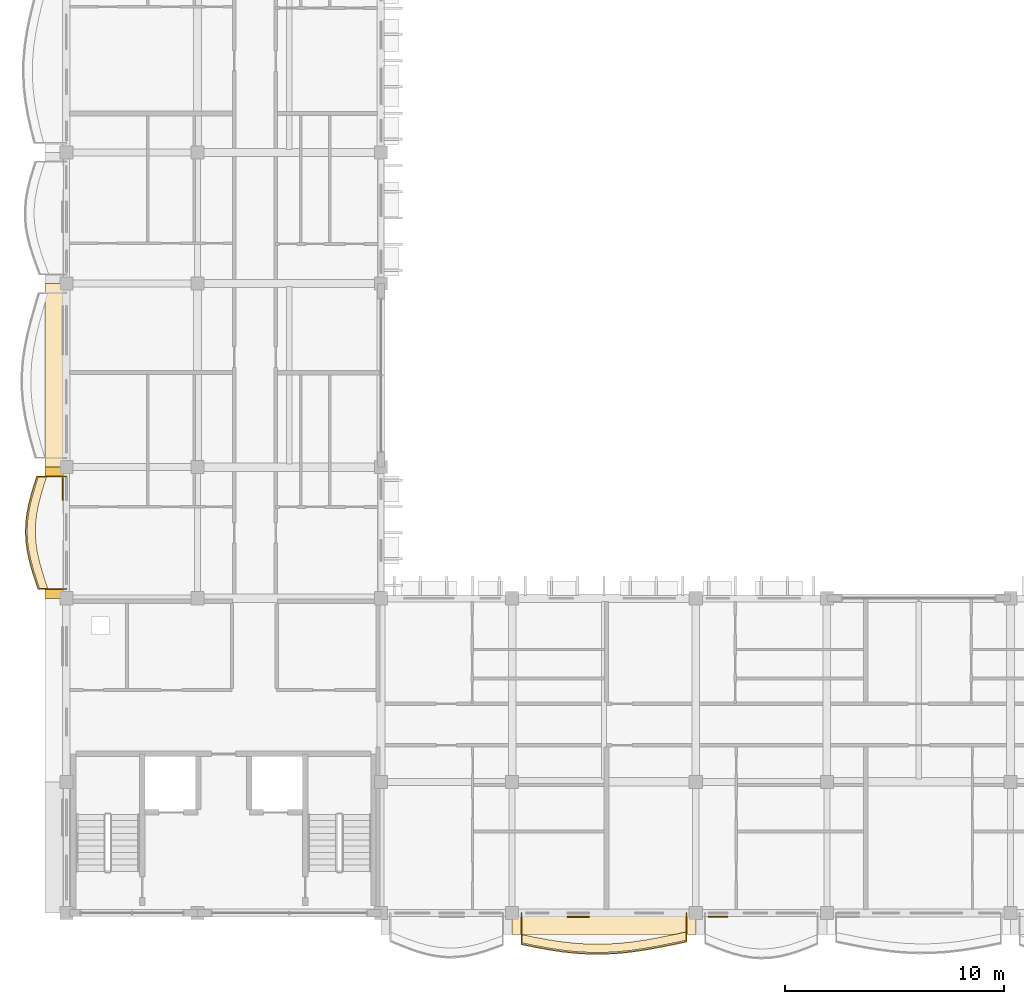
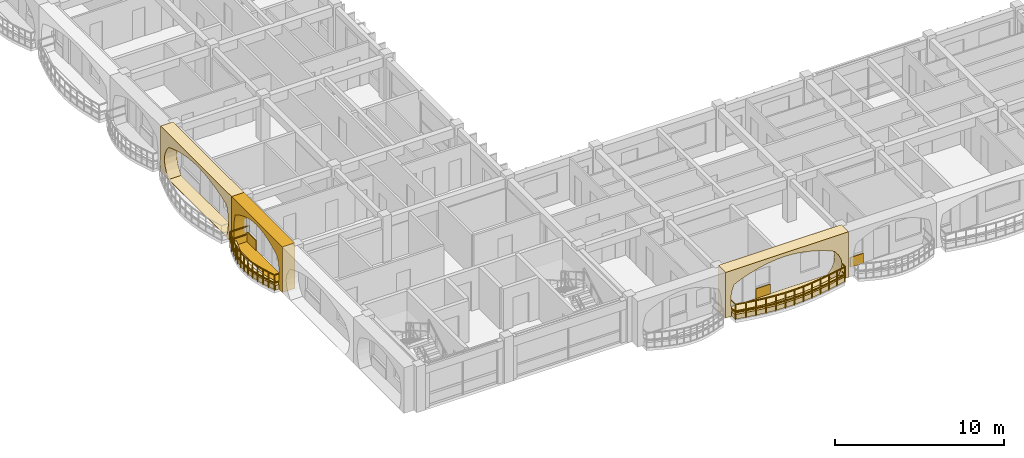
# One storey, part 50 of 76: 8 coverings, 2 railings.
"""IFC4 building model written with IfcOpenShell, lengths in metres."""

from ifc_helpers import new_model, si_unit, direction, frame, origin, origin_2d, place, context, subcontext, project, spatial, polyline, rectangle, outline, extrude, material, layer, layer_set, type_object, element, save


model = new_model("IFC4")

# Units and contexts
model_context = context("Model", 3, precision=1e-05, world=origin(), true_north=direction((0.0, 1.0)))
body_context = subcontext(model_context, "Body", "Model", "MODEL_VIEW")
ifc_project = project(units=[si_unit("LENGTHUNIT", "METRE"), si_unit("AREAUNIT", "SQUARE_METRE"), si_unit("VOLUMEUNIT", "CUBIC_METRE"), si_unit("PLANEANGLEUNIT", "RADIAN"), si_unit("MASSUNIT", "GRAM", prefix="KILO"), si_unit("THERMODYNAMICTEMPERATUREUNIT", "KELVIN")], contexts=[model_context])

# Site, building, storey
site_placement = place(None, origin())
site = spatial("IfcSite", under=ifc_project, at=site_placement, CompositionType="ELEMENT")
building_placement = place(site_placement, origin())
building = spatial("IfcBuilding", under=site, at=building_placement, Name="Thalorik Housing Commons", CompositionType="ELEMENT")
storey_placement = place(building_placement, frame((0.0, 0.0, 18.0)))
storey = spatial("IfcBuildingStorey", under=building, at=storey_placement, Name="L05", CompositionType="ELEMENT", Elevation=18.0)

# Coverings
ifc_material_1 = material(Name="Cobalt blue glazed ceramic facade tile panel", Category="masonry")
ifc_layer_1 = layer(ifc_material_1, 0.06005859375, Name="Cobalt blue glazed ceramic facade tile panel", Category="masonry")
ifc_layer_set_1 = layer_set([ifc_layer_1], Name="Cobalt blue glazed ceramic facade tile panel")
covering_type_1 = type_object("IfcCoveringType", Name="ARC-CLD-BLU-60", PredefinedType="CLADDING", material=ifc_layer_set_1)
covering_1_placement = place(storey_placement, frame((38.219970703125, 8.2275390625, 0.0498046875), z_axis=(0.0, 0.0, 1.0), x_axis=(1.0, 0.0, 0.0)))
element("IfcCovering", 1, at=covering_1_placement, inside=storey, type_object=covering_type_1, Name="L05 De Stijl Recessed Window Spandrel 3975", PredefinedType="CLADDING", context=body_context, shape_type="SweptSolid", body=[
    extrude(rectangle(XDim=0.89990234375, YDim=0.06005859375, at=origin_2d()), origin(), (0.0, 0.0, 1.0), 0.699951171875),
])
ifc_material_2 = material(Name="Precast concrete C40/50", Category="concrete")
ifc_layer_2 = layer(ifc_material_2, 0.85009765625, Name="Precast concrete C40/50", Category="concrete")
ifc_layer_set_2 = layer_set([ifc_layer_2], Name="Precast concrete C40/50")
covering_type_2 = type_object("IfcCoveringType", Name="ARC-CLD-CUSH-850", PredefinedType="CLADDING", material=ifc_layer_set_2)
covering_2_placement = place(storey_placement, frame((7.83740234375, 33.0, 0.0), z_axis=(0.0, 0.0, 1.0), x_axis=(0.0, -1.0, 0.0)))
element("IfcCovering", 2, at=covering_2_placement, inside=storey, type_object=covering_type_2, Name="L05 White Precast Curved Cushion Bay Frame 3962", PredefinedType="CLADDING", context=body_context, shape_type="SweptSolid", body=[
    extrude(outline(polyline([(-4.199951171875, 0.0), (4.199951171875, 0.0), (4.199951171875, 3.300048828125), (-4.199951171875, 3.300048828125), (-4.199951171875, 0.0)]), holes=[polyline([(3.594970703125, 0.02490234375), (3.72265625, 0.410888671875), (3.79931640625, 0.796630859375), (3.824951171875, 1.1826171875), (3.79931640625, 1.568359375), (3.72265625, 1.9541015625), (3.594970703125, 2.340087890625), (3.025390625, 2.552978515625), (2.455810546875, 2.720458984375), (1.88623046875, 2.85595703125), (1.316650390625, 2.956787109375), (0.7470703125, 3.01904296875), (0.177490234375, 3.0400390625), (-0.39208984375, 3.01904296875), (-0.961669921875, 2.956787109375), (-1.53125, 2.85595703125), (-2.100830078125, 2.720458984375), (-2.67041015625, 2.552978515625), (-3.239990234375, 2.340087890625), (-3.523193359375, 1.9541015625), (-3.693359375, 1.568359375), (-3.75, 1.1826171875), (-3.693359375, 0.796630859375), (-3.523193359375, 0.410888671875), (-3.239990234375, 0.02490234375), (3.594970703125, 0.02490234375)])]), frame((0.0, 0.425048828125, 0.0), z_axis=(0.0, -1.0, 0.0), x_axis=(1.0, 0.0, 0.0)), (0.0, 0.0, 1.0), 0.85009765625),
])
covering_3_placement = place(storey_placement, frame((7.83740234375, 25.800048828125, 0.0), z_axis=(0.0, 0.0, 1.0), x_axis=(0.0, -1.0, 0.0)))
element("IfcCovering", 3, at=covering_3_placement, inside=storey, type_object=covering_type_2, Name="L05 White Precast Curved Cushion Bay Frame 3964", PredefinedType="CLADDING", context=body_context, shape_type="SweptSolid", body=[
    extrude(outline(polyline([(-3.0, 0.0), (3.0, 0.0), (3.0, 3.300048828125), (-3.0, 3.300048828125), (-3.0, 0.0)]), holes=[polyline([(2.409912109375, 0.02490234375), (2.53466796875, 0.394287109375), (2.609375, 0.76318359375), (2.63427734375, 1.132568359375), (2.609375, 1.501708984375), (2.53466796875, 1.870849609375), (2.409912109375, 2.239990234375), (1.99462890625, 2.4833984375), (1.5791015625, 2.6748046875), (1.163818359375, 2.82958984375), (0.748291015625, 2.94482421875), (0.3330078125, 3.01611328125), (-0.08251953125, 3.0400390625), (-0.497802734375, 3.01611328125), (-0.913330078125, 2.94482421875), (-1.328857421875, 2.82958984375), (-1.744140625, 2.6748046875), (-2.15966796875, 2.4833984375), (-2.574951171875, 2.239990234375), (-2.664794921875, 1.870849609375), (-2.718505859375, 1.501708984375), (-2.736572265625, 1.132568359375), (-2.718505859375, 0.76318359375), (-2.664794921875, 0.394287109375), (-2.574951171875, 0.02490234375), (2.409912109375, 0.02490234375)])]), frame((0.0, 0.425048828125, 0.0), z_axis=(0.0, -1.0, 0.0), x_axis=(1.0, 0.0, 0.0)), (0.0, 0.0, 1.0), 0.85009765625),
])
covering_4_placement = place(storey_placement, frame((33.0, 7.83740234375, 0.0), z_axis=(0.0, 0.0, 1.0), x_axis=(1.0, 0.0, 0.0)))
element("IfcCovering", 4, at=covering_4_placement, inside=storey, type_object=covering_type_2, Name="L05 White Precast Curved Cushion Bay Frame 3972", PredefinedType="CLADDING", context=body_context, shape_type="SweptSolid", body=[
    extrude(outline(polyline([(-4.199951171875, 0.0), (4.199951171875, 0.0), (4.199951171875, 3.300048828125), (-4.199951171875, 3.300048828125), (-4.199951171875, 0.0)]), holes=[polyline([(3.239990234375, 0.02490234375), (3.523193359375, 0.390869140625), (3.693359375, 0.756591796875), (3.75, 1.12255859375), (3.693359375, 1.48828125), (3.523193359375, 1.854248046875), (3.239990234375, 2.219970703125), (2.66748046875, 2.469482421875), (2.094970703125, 2.66552734375), (1.5224609375, 2.824462890625), (0.949951171875, 2.9423828125), (0.37744140625, 3.015380859375), (-0.195068359375, 3.0400390625), (-0.767578125, 3.015380859375), (-1.340087890625, 2.9423828125), (-1.91259765625, 2.824462890625), (-2.485107421875, 2.66552734375), (-3.0576171875, 2.469482421875), (-3.6298828125, 2.219970703125), (-3.750244140625, 1.854248046875), (-3.822509765625, 1.48828125), (-3.8466796875, 1.12255859375), (-3.822509765625, 0.756591796875), (-3.750244140625, 0.390869140625), (-3.6298828125, 0.02490234375), (3.239990234375, 0.02490234375)])]), frame((0.0, 0.425048828125, 0.0), z_axis=(0.0, -1.0, 0.0), x_axis=(1.0, 0.0, 0.0)), (0.0, 0.0, 1.0), 0.85009765625),
])
ifc_material_3 = material(Name="Terracotta red mineral fibre-cement panel", Category="masonry")
ifc_layer_3 = layer(ifc_material_3, 0.054931640625, Name="Terracotta red mineral fibre-cement panel", Category="masonry")
ifc_layer_set_3 = layer_set([ifc_layer_3], Name="Terracotta red mineral fibre-cement panel")
covering_type_3 = type_object("IfcCoveringType", Name="ARC-CLD-RED-55", PredefinedType="CLADDING", material=ifc_layer_set_3)
covering_5_placement = place(storey_placement, frame((8.22998046875, 27.800048828125, 0.0498046875), z_axis=(0.0, 0.0, 1.0), x_axis=(0.0, -1.0, 0.0)))
element("IfcCovering", 5, at=covering_5_placement, inside=storey, type_object=covering_type_3, Name="L05 De Stijl Recessed Window Spandrel 3965", PredefinedType="CLADDING", context=body_context, shape_type="SweptSolid", body=[
    extrude(rectangle(XDim=1.050048828125, YDim=0.054931640625, at=origin_2d()), origin(), (0.0, 0.0, 1.0), 0.699951171875),
])
covering_6_placement = place(storey_placement, frame((31.820068359375, 8.22998046875, 0.0498046875), z_axis=(0.0, 0.0, 1.0), x_axis=(1.0, 0.0, 0.0)))
element("IfcCovering", 6, at=covering_6_placement, inside=storey, type_object=covering_type_3, Name="L05 De Stijl Recessed Window Spandrel 3973", PredefinedType="CLADDING", context=body_context, shape_type="SweptSolid", body=[
    extrude(rectangle(XDim=1.0, YDim=0.054931640625, at=origin_2d()), origin(), (0.0, 0.0, 1.0), 0.699951171875),
])
ifc_material_4 = material(Name="Planted vegetated substrate and terracotta trough", Category="masonry")
ifc_layer_4 = layer(ifc_material_4, 0.340087890625, Name="Planted vegetated substrate and terracotta trough", Category="masonry")
ifc_layer_set_4 = layer_set([ifc_layer_4], Name="Planted vegetated substrate and terracotta trough")
covering_type_4 = type_object("IfcCoveringType", Name="ARC-COV-PLANTER", PredefinedType="USERDEFINED", material=ifc_layer_set_4)
covering_7_placement = place(storey_placement, origin())
element("IfcCovering", 7, at=covering_7_placement, inside=storey, type_object=covering_type_4, Name="L05 Balcony Slab-Edge Planted Trough 5597", ObjectType="PLANTER", PredefinedType="USERDEFINED", context=body_context, shape_type="SweptSolid", body=[
    extrude(outline(polyline([(7.122802734375, 28.3798828125), (6.985595703125, 27.949951171875), (6.858154296875, 27.52001953125), (6.7490234375, 27.090087890625), (6.666748046875, 26.659912109375), (6.616943359375, 26.22998046875), (6.60400390625, 25.800048828125), (6.62841796875, 25.3701171875), (6.689208984375, 24.93994140625), (6.781982421875, 24.510009765625), (6.900146484375, 24.080078125), (7.035400390625, 23.64990234375), (7.17822265625, 23.219970703125), (7.558349609375, 23.219970703125), (7.415283203125, 23.64990234375), (7.280029296875, 24.080078125), (7.161865234375, 24.510009765625), (7.069091796875, 24.93994140625), (7.008544921875, 25.3701171875), (6.98388671875, 25.800048828125), (6.9970703125, 26.22998046875), (7.046630859375, 26.659912109375), (7.12890625, 27.090087890625), (7.238037109375, 27.52001953125), (7.36572265625, 27.949951171875), (7.502685546875, 28.3798828125), (7.122802734375, 28.3798828125)])), origin(), (0.0, 0.0, 1.0), 0.340087890625),
])
covering_8_placement = place(storey_placement, origin())
element("IfcCovering", 8, at=covering_8_placement, inside=storey, type_object=covering_type_4, Name="L05 Balcony Slab-Edge Planted Trough 5603", ObjectType="PLANTER", PredefinedType="USERDEFINED", context=body_context, shape_type="SweptSolid", body=[
    extrude(outline(polyline([(29.219970703125, 7.03369140625), (29.85009765625, 6.904296875), (30.47998046875, 6.788818359375), (31.110107421875, 6.694580078125), (31.739990234375, 6.627685546875), (32.3701171875, 6.593017578125), (33.0, 6.592041015625), (33.6298828125, 6.625244140625), (34.260009765625, 6.68994140625), (34.889892578125, 6.781982421875), (35.52001953125, 6.894775390625), (36.14990234375, 7.02099609375), (36.780029296875, 7.152099609375), (36.780029296875, 7.5322265625), (36.14990234375, 7.401123046875), (35.52001953125, 7.27490234375), (34.889892578125, 7.161865234375), (34.260009765625, 7.070068359375), (33.6298828125, 7.005126953125), (33.0, 6.97216796875), (32.3701171875, 6.972900390625), (31.739990234375, 7.0078125), (31.110107421875, 7.074462890625), (30.47998046875, 7.168701171875), (29.85009765625, 7.284423828125), (29.219970703125, 7.41357421875), (29.219970703125, 7.03369140625)])), origin(), (0.0, 0.0, 1.0), 0.340087890625),
])

# Railings
ifc_material_5 = material(Name="Steel S355", Category="steel")
railing_type = type_object("IfcRailingType", Name="ARC-RL-BAL-115", PredefinedType="BALUSTRADE", material=ifc_material_5)
railing_1_placement = place(storey_placement, frame((8.39990234375, 28.3798828125, 0.0)))
element("IfcRailing", 9, at=railing_1_placement, inside=storey, type_object=railing_type, Name="L05 Cushion Balcony Guardrail 281", PredefinedType="BALUSTRADE", context=body_context, shape_type="SweptSolid", body=[
    extrude(rectangle(XDim=0.050048828125, YDim=0.050048828125, at=origin_2d()), frame((0.0, 0.0, 1.125), z_axis=(-1.0, 0.0, 0.0), x_axis=(0.0, -1.0, 0.0)), (0.0, 0.0, 1.0), 1.34716796875),
    extrude(rectangle(XDim=0.050048828125, YDim=0.050048828125, at=origin_2d()), frame((0.0, 0.0, 0.5498046875), z_axis=(-1.0, 0.0, 0.0), x_axis=(0.0, -1.0, 0.0)), (0.0, 0.0, 1.0), 1.34716796875),
    extrude(rectangle(XDim=0.050048828125, YDim=0.050048828125, at=origin_2d()), frame((-1.34716796875, 0.0, 1.125), z_axis=(-0.30353863317, -0.952819131931, 0.0), x_axis=(0.952819131931, -0.30353863317, 0.0)), (0.0, 0.0, 1.0), 0.451171875),
    extrude(rectangle(XDim=0.050048828125, YDim=0.050048828125, at=origin_2d()), frame((-1.34716796875, 0.0, 0.5498046875), z_axis=(-0.30353863317, -0.952819131931, 0.0), x_axis=(0.952819131931, -0.30353863317, 0.0)), (0.0, 0.0, 1.0), 0.451171875),
    extrude(rectangle(XDim=0.050048828125, YDim=0.050048828125, at=origin_2d()), frame((-1.484130859375, -0.429931640625, 1.125), z_axis=(-0.284699903817, -0.958616693349, 0.0), x_axis=(0.958616693349, -0.284699903817, 0.0)), (0.0, 0.0, 1.0), 0.448486328125),
    extrude(rectangle(XDim=0.050048828125, YDim=0.050048828125, at=origin_2d()), frame((-1.484130859375, -0.429931640625, 0.5498046875), z_axis=(-0.284699903817, -0.958616693349, 0.0), x_axis=(0.958616693349, -0.284699903817, 0.0)), (0.0, 0.0, 1.0), 0.448486328125),
    extrude(rectangle(XDim=0.050048828125, YDim=0.050048828125, at=origin_2d()), frame((-1.61181640625, -0.85986328125, 1.125), z_axis=(-0.246030735981, -0.969262026984, 0.0), x_axis=(0.969262026984, -0.246030735981, 0.0)), (0.0, 0.0, 1.0), 0.443603515625),
    extrude(rectangle(XDim=0.050048828125, YDim=0.050048828125, at=origin_2d()), frame((-1.61181640625, -0.85986328125, 0.5498046875), z_axis=(-0.246030735981, -0.969262026984, 0.0), x_axis=(0.969262026984, -0.246030735981, 0.0)), (0.0, 0.0, 1.0), 0.443603515625),
    extrude(rectangle(XDim=0.050048828125, YDim=0.050048828125, at=origin_2d()), frame((-1.720947265625, -1.289794921875, 1.125), z_axis=(-0.187854891688, -0.98219679274, 0.0), x_axis=(0.98219679274, -0.187854891688, 0.0)), (0.0, 0.0, 1.0), 0.43798828125),
    extrude(rectangle(XDim=0.050048828125, YDim=0.050048828125, at=origin_2d()), frame((-1.720947265625, -1.289794921875, 0.5498046875), z_axis=(-0.187854891688, -0.98219679274, 0.0), x_axis=(0.98219679274, -0.187854891688, 0.0)), (0.0, 0.0, 1.0), 0.43798828125),
    extrude(rectangle(XDim=0.050048828125, YDim=0.050048828125, at=origin_2d()), frame((-1.80322265625, -1.719970703125, 1.125), z_axis=(-0.114517047407, -0.993421283169, 0.0), x_axis=(0.993421283169, -0.114517047407, 0.0)), (0.0, 0.0, 1.0), 0.432861328125),
    extrude(rectangle(XDim=0.050048828125, YDim=0.050048828125, at=origin_2d()), frame((-1.80322265625, -1.719970703125, 0.5498046875), z_axis=(-0.114517047407, -0.993421283169, 0.0), x_axis=(0.993421283169, -0.114517047407, 0.0)), (0.0, 0.0, 1.0), 0.432861328125),
    extrude(rectangle(XDim=0.050048828125, YDim=0.050048828125, at=origin_2d()), frame((-1.852783203125, -2.14990234375, 1.125), z_axis=(-0.030649988445, -0.999530178738, 0.0), x_axis=(0.999530178738, -0.030649988445, 0.0)), (0.0, 0.0, 1.0), 0.43017578125),
    extrude(rectangle(XDim=0.050048828125, YDim=0.050048828125, at=origin_2d()), frame((-1.852783203125, -2.14990234375, 0.5498046875), z_axis=(-0.030649988445, -0.999530178738, 0.0), x_axis=(0.999530178738, -0.030649988445, 0.0)), (0.0, 0.0, 1.0), 0.43017578125),
    extrude(rectangle(XDim=0.050048828125, YDim=0.050048828125, at=origin_2d()), frame((-1.865966796875, -2.579833984375, 1.125), z_axis=(0.057259677, -0.998359318778, 0.0), x_axis=(0.998359318778, 0.057259677, 0.0)), (0.0, 0.0, 1.0), 0.4306640625),
    extrude(rectangle(XDim=0.050048828125, YDim=0.050048828125, at=origin_2d()), frame((-1.865966796875, -2.579833984375, 0.5498046875), z_axis=(0.057259677, -0.998359318778, 0.0), x_axis=(0.998359318778, 0.057259677, 0.0)), (0.0, 0.0, 1.0), 0.4306640625),
    extrude(rectangle(XDim=0.050048828125, YDim=0.050048828125, at=origin_2d()), frame((-1.84130859375, -3.009765625, 1.125), z_axis=(0.139375383341, -0.990239618738, 0.0), x_axis=(0.990239618738, 0.139375383341, 0.0)), (0.0, 0.0, 1.0), 0.434326171875),
    extrude(rectangle(XDim=0.050048828125, YDim=0.050048828125, at=origin_2d()), frame((-1.84130859375, -3.009765625, 0.5498046875), z_axis=(0.139375383341, -0.990239618738, 0.0), x_axis=(0.990239618738, 0.139375383341, 0.0)), (0.0, 0.0, 1.0), 0.434326171875),
    extrude(rectangle(XDim=0.050048828125, YDim=0.050048828125, at=origin_2d()), frame((-1.78076171875, -3.43994140625, 1.125), z_axis=(0.210931472688, -0.977500851063, 0.0), x_axis=(0.977500851063, 0.210931472688, 0.0)), (0.0, 0.0, 1.0), 0.43994140625),
    extrude(rectangle(XDim=0.050048828125, YDim=0.050048828125, at=origin_2d()), frame((-1.78076171875, -3.43994140625, 0.5498046875), z_axis=(0.210931472688, -0.977500851063, 0.0), x_axis=(0.977500851063, 0.210931472688, 0.0)), (0.0, 0.0, 1.0), 0.43994140625),
    extrude(rectangle(XDim=0.050048828125, YDim=0.050048828125, at=origin_2d()), frame((-1.68798828125, -3.869873046875, 1.125), z_axis=(0.265016489476, -0.964243880098, 0.0), x_axis=(0.964243880098, 0.265016489476, 0.0)), (0.0, 0.0, 1.0), 0.44580078125),
    extrude(rectangle(XDim=0.050048828125, YDim=0.050048828125, at=origin_2d()), frame((-1.68798828125, -3.869873046875, 0.5498046875), z_axis=(0.265016489476, -0.964243880098, 0.0), x_axis=(0.964243880098, 0.265016489476, 0.0)), (0.0, 0.0, 1.0), 0.44580078125),
    extrude(rectangle(XDim=0.050048828125, YDim=0.050048828125, at=origin_2d()), frame((-1.56982421875, -4.2998046875, 1.125), z_axis=(0.299939220082, -0.953958313689, 0.0), x_axis=(0.953958313689, 0.299939220082, 0.0)), (0.0, 0.0, 1.0), 0.450927734375),
    extrude(rectangle(XDim=0.050048828125, YDim=0.050048828125, at=origin_2d()), frame((-1.56982421875, -4.2998046875, 0.5498046875), z_axis=(0.299939220082, -0.953958313689, 0.0), x_axis=(0.953958313689, 0.299939220082, 0.0)), (0.0, 0.0, 1.0), 0.450927734375),
    extrude(rectangle(XDim=0.050048828125, YDim=0.050048828125, at=origin_2d()), frame((-1.4345703125, -4.72998046875, 1.125), z_axis=(0.315742795496, -0.948844817182, 0.0), x_axis=(0.948844817182, 0.315742795496, 0.0)), (0.0, 0.0, 1.0), 0.453125),
    extrude(rectangle(XDim=0.050048828125, YDim=0.050048828125, at=origin_2d()), frame((-1.4345703125, -4.72998046875, 0.5498046875), z_axis=(0.315742795496, -0.948844817182, 0.0), x_axis=(0.948844817182, 0.315742795496, 0.0)), (0.0, 0.0, 1.0), 0.453125),
    extrude(rectangle(XDim=0.050048828125, YDim=0.050048828125, at=origin_2d()), frame((-1.29150390625, -5.159912109375, 1.125), z_axis=(1.0, 0.0, 0.0), x_axis=(0.0, 1.0, 0.0)), (0.0, 0.0, 1.0), 1.29150390625),
    extrude(rectangle(XDim=0.050048828125, YDim=0.050048828125, at=origin_2d()), frame((-1.29150390625, -5.159912109375, 0.5498046875), z_axis=(1.0, 0.0, 0.0), x_axis=(0.0, 1.0, 0.0)), (0.0, 0.0, 1.0), 1.29150390625),
    extrude(rectangle(XDim=0.0419921875, YDim=0.0419921875, at=origin_2d()), origin(), (0.0, 0.0, 1.0), 1.099853515625),
    extrude(rectangle(XDim=0.0419921875, YDim=0.0419921875, at=origin_2d()), frame((-1.34716796875, 0.0, 0.0)), (0.0, 0.0, 1.0), 1.099853515625),
    extrude(rectangle(XDim=0.0419921875, YDim=0.0419921875, at=origin_2d()), frame((-1.484130859375, -0.429931640625, 0.0)), (0.0, 0.0, 1.0), 1.099853515625),
    extrude(rectangle(XDim=0.0419921875, YDim=0.0419921875, at=origin_2d()), frame((-1.61181640625, -0.85986328125, 0.0)), (0.0, 0.0, 1.0), 1.099853515625),
    extrude(rectangle(XDim=0.0419921875, YDim=0.0419921875, at=origin_2d()), frame((-1.720947265625, -1.289794921875, 0.0)), (0.0, 0.0, 1.0), 1.099853515625),
    extrude(rectangle(XDim=0.0419921875, YDim=0.0419921875, at=origin_2d()), frame((-1.80322265625, -1.719970703125, 0.0)), (0.0, 0.0, 1.0), 1.099853515625),
    extrude(rectangle(XDim=0.0419921875, YDim=0.0419921875, at=origin_2d()), frame((-1.852783203125, -2.14990234375, 0.0)), (0.0, 0.0, 1.0), 1.099853515625),
    extrude(rectangle(XDim=0.0419921875, YDim=0.0419921875, at=origin_2d()), frame((-1.865966796875, -2.579833984375, 0.0)), (0.0, 0.0, 1.0), 1.099853515625),
    extrude(rectangle(XDim=0.0419921875, YDim=0.0419921875, at=origin_2d()), frame((-1.84130859375, -3.009765625, 0.0)), (0.0, 0.0, 1.0), 1.099853515625),
    extrude(rectangle(XDim=0.0419921875, YDim=0.0419921875, at=origin_2d()), frame((-1.78076171875, -3.43994140625, 0.0)), (0.0, 0.0, 1.0), 1.099853515625),
    extrude(rectangle(XDim=0.0419921875, YDim=0.0419921875, at=origin_2d()), frame((-1.68798828125, -3.869873046875, 0.0)), (0.0, 0.0, 1.0), 1.099853515625),
    extrude(rectangle(XDim=0.0419921875, YDim=0.0419921875, at=origin_2d()), frame((-1.56982421875, -4.2998046875, 0.0)), (0.0, 0.0, 1.0), 1.099853515625),
    extrude(rectangle(XDim=0.0419921875, YDim=0.0419921875, at=origin_2d()), frame((-1.4345703125, -4.72998046875, 0.0)), (0.0, 0.0, 1.0), 1.099853515625),
    extrude(rectangle(XDim=0.0419921875, YDim=0.0419921875, at=origin_2d()), frame((-1.29150390625, -5.159912109375, 0.0)), (0.0, 0.0, 1.0), 1.099853515625),
    extrude(rectangle(XDim=0.0419921875, YDim=0.0419921875, at=origin_2d()), frame((0.0, -5.159912109375, 0.0)), (0.0, 0.0, 1.0), 1.099853515625),
])
railing_2_placement = place(storey_placement, frame((29.219970703125, 8.39990234375, 0.0)))
element("IfcRailing", 10, at=railing_2_placement, inside=storey, type_object=railing_type, Name="L05 Cushion Balcony Guardrail 287", PredefinedType="BALUSTRADE", context=body_context, shape_type="SweptSolid", body=[
    extrude(rectangle(XDim=0.050048828125, YDim=0.050048828125, at=origin_2d()), frame((0.0, 0.0, 1.125), z_axis=(0.0, -1.0, 0.0), x_axis=(1.0, 0.0, 0.0)), (0.0, 0.0, 1.0), 1.436279296875),
    extrude(rectangle(XDim=0.050048828125, YDim=0.050048828125, at=origin_2d()), frame((0.0, 0.0, 0.5498046875), z_axis=(0.0, -1.0, 0.0), x_axis=(1.0, 0.0, 0.0)), (0.0, 0.0, 1.0), 1.436279296875),
    extrude(rectangle(XDim=0.050048828125, YDim=0.050048828125, at=origin_2d()), frame((0.0, -1.436279296875, 1.125), z_axis=(0.979635255397, -0.200785373927, 0.0), x_axis=(0.200785373927, 0.979635255397, 0.0)), (0.0, 0.0, 1.0), 0.643310546875),
    extrude(rectangle(XDim=0.050048828125, YDim=0.050048828125, at=origin_2d()), frame((0.0, -1.436279296875, 0.5498046875), z_axis=(0.979635255397, -0.200785373927, 0.0), x_axis=(0.200785373927, 0.979635255397, 0.0)), (0.0, 0.0, 1.0), 0.643310546875),
    extrude(rectangle(XDim=0.050048828125, YDim=0.050048828125, at=origin_2d()), frame((0.630126953125, -1.5654296875, 1.125), z_axis=(0.9835388712, -0.180696676337, 0.0), x_axis=(0.180696676337, 0.9835388712, 0.0)), (0.0, 0.0, 1.0), 0.640380859375),
    extrude(rectangle(XDim=0.050048828125, YDim=0.050048828125, at=origin_2d()), frame((0.630126953125, -1.5654296875, 0.5498046875), z_axis=(0.9835388712, -0.180696676337, 0.0), x_axis=(0.180696676337, 0.9835388712, 0.0)), (0.0, 0.0, 1.0), 0.640380859375),
    extrude(rectangle(XDim=0.050048828125, YDim=0.050048828125, at=origin_2d()), frame((1.260009765625, -1.68115234375, 1.125), z_axis=(0.989000903893, -0.147909472647, 0.0), x_axis=(0.147909472647, 0.989000903893, 0.0)), (0.0, 0.0, 1.0), 0.63720703125),
    extrude(rectangle(XDim=0.050048828125, YDim=0.050048828125, at=origin_2d()), frame((1.260009765625, -1.68115234375, 0.5498046875), z_axis=(0.989000903893, -0.147909472647, 0.0), x_axis=(0.147909472647, 0.989000903893, 0.0)), (0.0, 0.0, 1.0), 0.63720703125),
    extrude(rectangle(XDim=0.050048828125, YDim=0.050048828125, at=origin_2d()), frame((1.89013671875, -1.775390625, 1.125), z_axis=(0.994448280622, -0.105226504112, 0.0), x_axis=(0.105226504112, 0.994448280622, 0.0)), (0.0, 0.0, 1.0), 0.63330078125),
    extrude(rectangle(XDim=0.050048828125, YDim=0.050048828125, at=origin_2d()), frame((1.89013671875, -1.775390625, 0.5498046875), z_axis=(0.994448280622, -0.105226504112, 0.0), x_axis=(0.105226504112, 0.994448280622, 0.0)), (0.0, 0.0, 1.0), 0.63330078125),
    extrude(rectangle(XDim=0.050048828125, YDim=0.050048828125, at=origin_2d()), frame((2.52001953125, -1.842041015625, 1.125), z_axis=(0.998468674169, -0.055320038902, 0.0), x_axis=(0.055320038902, 0.998468674169, 0.0)), (0.0, 0.0, 1.0), 0.631103515625),
    extrude(rectangle(XDim=0.050048828125, YDim=0.050048828125, at=origin_2d()), frame((2.52001953125, -1.842041015625, 0.5498046875), z_axis=(0.998468674169, -0.055320038902, 0.0), x_axis=(0.055320038902, 0.998468674169, 0.0)), (0.0, 0.0, 1.0), 0.631103515625),
    extrude(rectangle(XDim=0.050048828125, YDim=0.050048828125, at=origin_2d()), frame((3.150146484375, -1.876953125, 1.125), z_axis=(0.99999932396, -0.001162789912, 0.0), x_axis=(0.001162789912, 0.99999932396, 0.0)), (0.0, 0.0, 1.0), 0.6298828125),
    extrude(rectangle(XDim=0.050048828125, YDim=0.050048828125, at=origin_2d()), frame((3.150146484375, -1.876953125, 0.5498046875), z_axis=(0.99999932396, -0.001162789912, 0.0), x_axis=(0.001162789912, 0.99999932396, 0.0)), (0.0, 0.0, 1.0), 0.6298828125),
    extrude(rectangle(XDim=0.050048828125, YDim=0.050048828125, at=origin_2d()), frame((3.780029296875, -1.877685546875, 1.125), z_axis=(0.99863382154, 0.052254095313, 0.0), x_axis=(-0.052254095313, 0.99863382154, 0.0)), (0.0, 0.0, 1.0), 0.630859375),
    extrude(rectangle(XDim=0.050048828125, YDim=0.050048828125, at=origin_2d()), frame((3.780029296875, -1.877685546875, 0.5498046875), z_axis=(0.99863382154, 0.052254095313, 0.0), x_axis=(-0.052254095313, 0.99863382154, 0.0)), (0.0, 0.0, 1.0), 0.630859375),
    extrude(rectangle(XDim=0.050048828125, YDim=0.050048828125, at=origin_2d()), frame((4.409912109375, -1.8447265625, 1.125), z_axis=(0.994731168104, 0.102517818952, 0.0), x_axis=(-0.102517818952, 0.994731168104, 0.0)), (0.0, 0.0, 1.0), 0.633544921875),
    extrude(rectangle(XDim=0.050048828125, YDim=0.050048828125, at=origin_2d()), frame((4.409912109375, -1.8447265625, 0.5498046875), z_axis=(0.994731168104, 0.102517818952, 0.0), x_axis=(-0.102517818952, 0.994731168104, 0.0)), (0.0, 0.0, 1.0), 0.633544921875),
    extrude(rectangle(XDim=0.050048828125, YDim=0.050048828125, at=origin_2d()), frame((5.0400390625, -1.77978515625, 1.125), z_axis=(0.989546668831, 0.144213002899, 0.0), x_axis=(-0.144213002899, 0.989546668831, 0.0)), (0.0, 0.0, 1.0), 0.636474609375),
    extrude(rectangle(XDim=0.050048828125, YDim=0.050048828125, at=origin_2d()), frame((5.0400390625, -1.77978515625, 0.5498046875), z_axis=(0.989546668831, 0.144213002899, 0.0), x_axis=(-0.144213002899, 0.989546668831, 0.0)), (0.0, 0.0, 1.0), 0.636474609375),
    extrude(rectangle(XDim=0.050048828125, YDim=0.050048828125, at=origin_2d()), frame((5.669921875, -1.68798828125, 1.125), z_axis=(0.98435441919, 0.17619982242, 0.0), x_axis=(-0.17619982242, 0.98435441919, 0.0)), (0.0, 0.0, 1.0), 0.64013671875),
    extrude(rectangle(XDim=0.050048828125, YDim=0.050048828125, at=origin_2d()), frame((5.669921875, -1.68798828125, 0.5498046875), z_axis=(0.98435441919, 0.17619982242, 0.0), x_axis=(-0.17619982242, 0.98435441919, 0.0)), (0.0, 0.0, 1.0), 0.64013671875),
    extrude(rectangle(XDim=0.050048828125, YDim=0.050048828125, at=origin_2d()), frame((6.300048828125, -1.5751953125, 1.125), z_axis=(0.980434244421, 0.19684687543, 0.0), x_axis=(-0.19684687543, 0.980434244421, 0.0)), (0.0, 0.0, 1.0), 0.642333984375),
    extrude(rectangle(XDim=0.050048828125, YDim=0.050048828125, at=origin_2d()), frame((6.300048828125, -1.5751953125, 0.5498046875), z_axis=(0.980434244421, 0.19684687543, 0.0), x_axis=(-0.19684687543, 0.980434244421, 0.0)), (0.0, 0.0, 1.0), 0.642333984375),
    extrude(rectangle(XDim=0.050048828125, YDim=0.050048828125, at=origin_2d()), frame((6.929931640625, -1.44873046875, 1.125), z_axis=(0.979034033957, 0.20369673624, 0.0), x_axis=(-0.20369673624, 0.979034033957, 0.0)), (0.0, 0.0, 1.0), 0.6435546875),
    extrude(rectangle(XDim=0.050048828125, YDim=0.050048828125, at=origin_2d()), frame((6.929931640625, -1.44873046875, 0.5498046875), z_axis=(0.979034033957, 0.20369673624, 0.0), x_axis=(-0.20369673624, 0.979034033957, 0.0)), (0.0, 0.0, 1.0), 0.6435546875),
    extrude(rectangle(XDim=0.050048828125, YDim=0.050048828125, at=origin_2d()), frame((7.56005859375, -1.317626953125, 1.125), z_axis=(0.0, 1.0, 0.0), x_axis=(-1.0, 0.0, 0.0)), (0.0, 0.0, 1.0), 1.317626953125),
    extrude(rectangle(XDim=0.050048828125, YDim=0.050048828125, at=origin_2d()), frame((7.56005859375, -1.317626953125, 0.5498046875), z_axis=(0.0, 1.0, 0.0), x_axis=(-1.0, 0.0, 0.0)), (0.0, 0.0, 1.0), 1.317626953125),
    extrude(rectangle(XDim=0.0419921875, YDim=0.0419921875, at=origin_2d()), origin(), (0.0, 0.0, 1.0), 1.099853515625),
    extrude(rectangle(XDim=0.0419921875, YDim=0.0419921875, at=origin_2d()), frame((0.0, -1.436279296875, 0.0)), (0.0, 0.0, 1.0), 1.099853515625),
    extrude(rectangle(XDim=0.0419921875, YDim=0.0419921875, at=origin_2d()), frame((0.630126953125, -1.5654296875, 0.0)), (0.0, 0.0, 1.0), 1.099853515625),
    extrude(rectangle(XDim=0.0419921875, YDim=0.0419921875, at=origin_2d()), frame((1.260009765625, -1.68115234375, 0.0)), (0.0, 0.0, 1.0), 1.099853515625),
    extrude(rectangle(XDim=0.0419921875, YDim=0.0419921875, at=origin_2d()), frame((1.89013671875, -1.775390625, 0.0)), (0.0, 0.0, 1.0), 1.099853515625),
    extrude(rectangle(XDim=0.0419921875, YDim=0.0419921875, at=origin_2d()), frame((2.52001953125, -1.842041015625, 0.0)), (0.0, 0.0, 1.0), 1.099853515625),
    extrude(rectangle(XDim=0.0419921875, YDim=0.0419921875, at=origin_2d()), frame((3.150146484375, -1.876953125, 0.0)), (0.0, 0.0, 1.0), 1.099853515625),
    extrude(rectangle(XDim=0.0419921875, YDim=0.0419921875, at=origin_2d()), frame((3.780029296875, -1.877685546875, 0.0)), (0.0, 0.0, 1.0), 1.099853515625),
    extrude(rectangle(XDim=0.0419921875, YDim=0.0419921875, at=origin_2d()), frame((4.409912109375, -1.8447265625, 0.0)), (0.0, 0.0, 1.0), 1.099853515625),
    extrude(rectangle(XDim=0.0419921875, YDim=0.0419921875, at=origin_2d()), frame((5.0400390625, -1.77978515625, 0.0)), (0.0, 0.0, 1.0), 1.099853515625),
    extrude(rectangle(XDim=0.0419921875, YDim=0.0419921875, at=origin_2d()), frame((5.669921875, -1.68798828125, 0.0)), (0.0, 0.0, 1.0), 1.099853515625),
    extrude(rectangle(XDim=0.0419921875, YDim=0.0419921875, at=origin_2d()), frame((6.300048828125, -1.5751953125, 0.0)), (0.0, 0.0, 1.0), 1.099853515625),
    extrude(rectangle(XDim=0.0419921875, YDim=0.0419921875, at=origin_2d()), frame((6.929931640625, -1.44873046875, 0.0)), (0.0, 0.0, 1.0), 1.099853515625),
    extrude(rectangle(XDim=0.0419921875, YDim=0.0419921875, at=origin_2d()), frame((7.56005859375, -1.317626953125, 0.0)), (0.0, 0.0, 1.0), 1.099853515625),
    extrude(rectangle(XDim=0.0419921875, YDim=0.0419921875, at=origin_2d()), frame((7.56005859375, 0.0, 0.0)), (0.0, 0.0, 1.0), 1.099853515625),
])

save(model, "model.ifc")
